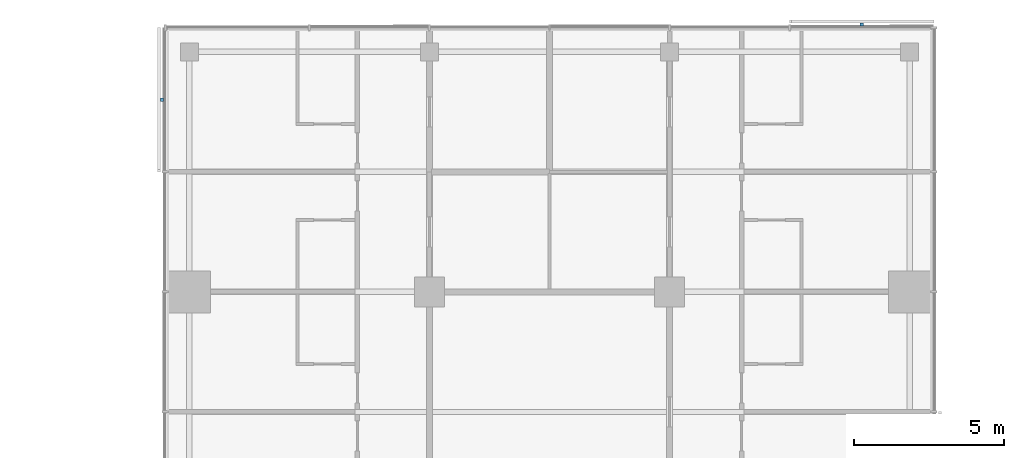
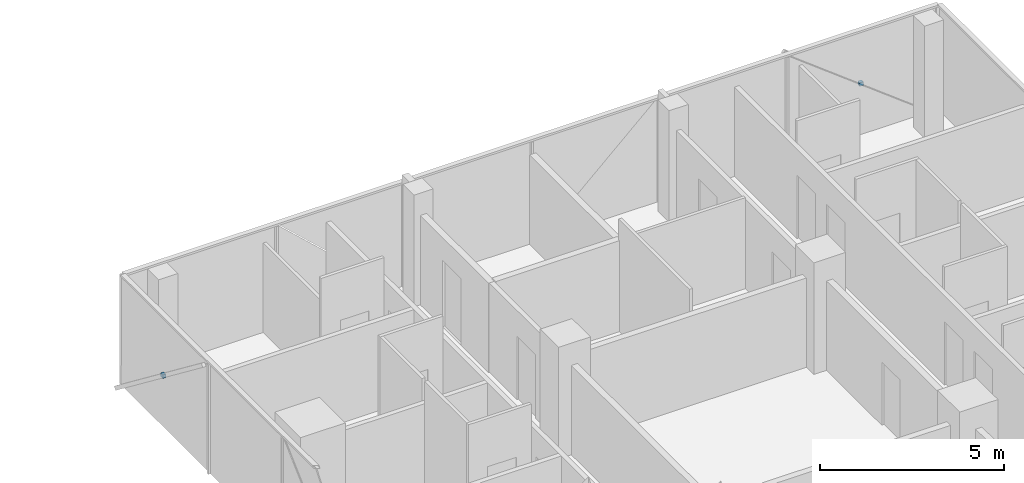
# One storey, part 28 of 29: 2 discrete accessories.
"""IFC4 building model written with IfcOpenShell, lengths in metres."""

from ifc_helpers import new_model, si_unit, direction, frame, origin, origin_2d, place, context, subcontext, project, spatial, rectangle, extrude, material, type_object, element, save


model = new_model("IFC4")

# Units and contexts
model_context = context("Model", 3, precision=1e-05, world=origin(), true_north=direction((0.0, 1.0)))
body_context = subcontext(model_context, "Body", "Model", "MODEL_VIEW")
ifc_project = project(units=[si_unit("LENGTHUNIT", "METRE"), si_unit("AREAUNIT", "SQUARE_METRE"), si_unit("VOLUMEUNIT", "CUBIC_METRE"), si_unit("PLANEANGLEUNIT", "RADIAN"), si_unit("MASSUNIT", "GRAM", prefix="KILO")], contexts=[model_context])

# Site, building, storey
site_placement = place(None, origin())
site = spatial("IfcSite", under=ifc_project, at=site_placement, CompositionType="ELEMENT")
building_placement = place(site_placement, origin())
building = spatial("IfcBuilding", under=site, at=building_placement, Name="Crosswind Convention Tower", CompositionType="ELEMENT")
storey_placement = place(building_placement, frame((0.0, 0.0, 57.199951171875)))
storey = spatial("IfcBuildingStorey", under=building, at=storey_placement, Name="L08", CompositionType="ELEMENT", Elevation=57.199951171875)

# Discrete accessories
ifc_material = material(Name="Stainless steel", Category="steel")
discrete_accessory_type = type_object("IfcDiscreteAccessoryType", Name="BAGUETTE BRACKET BK2", PredefinedType="BRACKET", material=ifc_material)
for number, where, z_axis, x_axis, name in (
    (1, (135.39990234375, 136.907958984375, 1.4775390625), (0.0, 0.0, 1.0), (-1.0, 0.0, 0.0), "BK2 baguette bracket"),
    (2, (112.092041015625, 134.39990234375, 1.4775390625), (0.0, 0.0, 1.0), (0.0, -1.0, 0.0), "BK2 baguette bracket"),
):
    element("IfcDiscreteAccessory", number, at=place(storey_placement, frame(where, z_axis=z_axis, x_axis=x_axis)), inside=storey, type_object=discrete_accessory_type, Name=name, PredefinedType="BRACKET", context=body_context, shape_type="SweptSolid", body=[
        extrude(rectangle(XDim=0.1201171875, YDim=0.10009765625, at=origin_2d()), origin(), (0.0, 0.0, 1.0), 0.1201171875),
    ])

save(model, "model.ifc")
